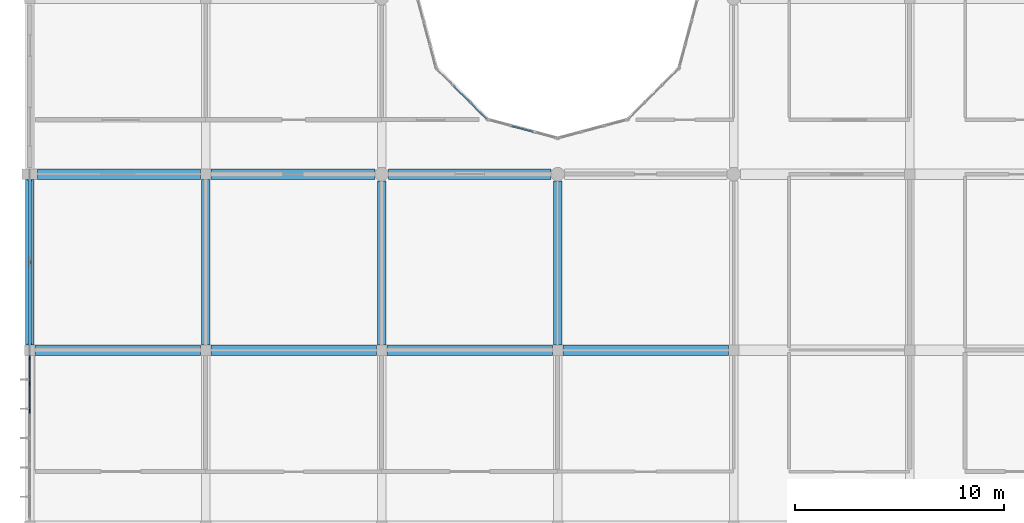
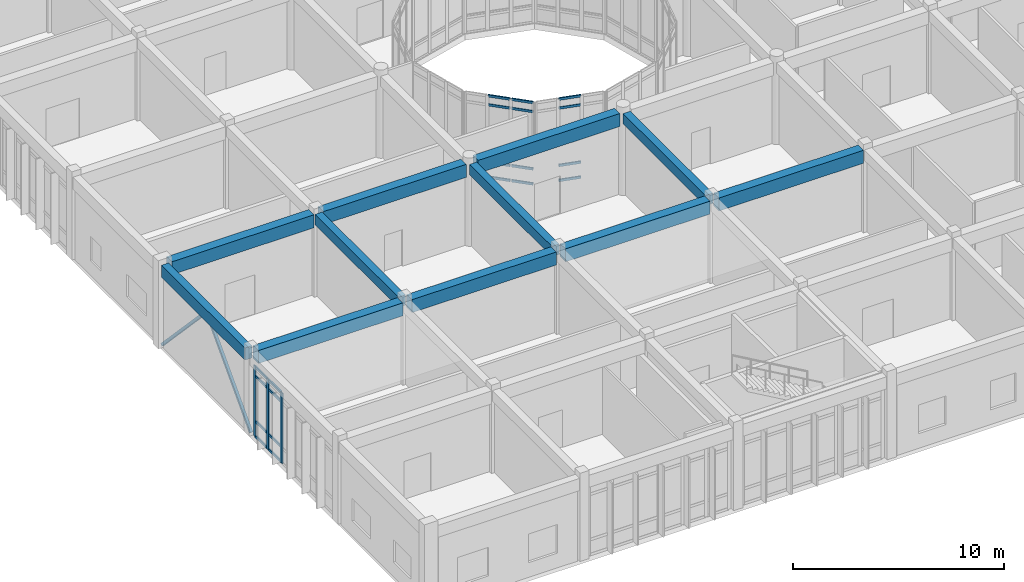
# One storey, part 29 of 134: 25 members, 11 beams, 3 elements without a shape of their own.
"""IFC4 building model written with IfcOpenShell, lengths in metres."""

from ifc_helpers import new_model, si_unit, direction, frame, origin, origin_2d, place, context, subcontext, project, spatial, rectangle, hollow_rectangle, extrude, material, layer, layer_set, material_profile, profile_set, type_object, element, aggregate, save


model = new_model("IFC4")

# Units and contexts
model_context = context("Model", 3, precision=1e-05, world=origin(), true_north=direction((0.0, 1.0)))
body_context = subcontext(model_context, "Body", "Model", "MODEL_VIEW")
ifc_project = project(units=[si_unit("LENGTHUNIT", "METRE"), si_unit("AREAUNIT", "SQUARE_METRE"), si_unit("VOLUMEUNIT", "CUBIC_METRE"), si_unit("PLANEANGLEUNIT", "RADIAN"), si_unit("MASSUNIT", "GRAM", prefix="KILO")], contexts=[model_context])

# Site, building, storey
site_placement = place(None, origin())
site = spatial("IfcSite", under=ifc_project, at=site_placement, CompositionType="ELEMENT")
building_placement = place(site_placement, origin())
building = spatial("IfcBuilding", under=site, at=building_placement, Name="Bramfleet General Hospital", CompositionType="ELEMENT")
storey_placement = place(building_placement, frame((0.0, 0.0, 9.300048828125)))
storey = spatial("IfcBuildingStorey", under=building, at=storey_placement, Name="L02", CompositionType="ELEMENT", Elevation=9.300048828125)

# Beams
ifc_material_1 = material(Name="Concrete C35/45", Category="concrete")
ifc_material_profile_1 = material_profile(ifc_material_1, rectangle(XDim=0.39990234375, YDim=0.60009765625, at=origin_2d()), Name="RC BM 600x400")
ifc_profile_set_1 = profile_set([ifc_material_profile_1], Name="Concrete C35/45")
beam_type_1 = type_object("IfcBeamType", Name="BM-RC600", PredefinedType="BEAM", material=ifc_profile_set_1)
beam_1_placement = place(storey_placement, frame((8.39990234375, 67.449951171875, 4.47998046875), z_axis=(0.0, 1.0, 0.0), x_axis=(-1.0, 0.0, 0.0)))
element("IfcBeam", 1, at=beam_1_placement, inside=storey, type_object=beam_type_1, Name="L02 Grid Beam Y 01-08", PredefinedType="BEAM", context=body_context, shape_type="SweptSolid", body=[
    extrude(rectangle(XDim=0.39990234375, YDim=0.60009765625, at=origin_2d()), origin(), (0.0, 0.0, 1.0), 7.900146484375),
])
for number, where, z_axis, x_axis, name in (
    (2, (16.800048828125, 67.449951171875, 4.47998046875), (0.0, 1.0, 0.0), (-1.0, 0.0, 0.0), "L02 Grid Beam Y 02-08"),
    (3, (25.199951171875, 67.449951171875, 4.47998046875), (0.0, 1.0, 0.0), (-1.0, 0.0, 0.0), "L02 Grid Beam Y 03-08"),
):
    element("IfcBeam", number, at=place(storey_placement, frame(where, z_axis=z_axis, x_axis=x_axis)), inside=storey, type_object=beam_type_1, Name=name, PredefinedType="BEAM", context=body_context, shape_type="SweptSolid", body=[
        extrude(rectangle(XDim=0.39990234375, YDim=0.60009765625, at=origin_2d()), origin(), (0.0, 0.0, 1.0), 7.824951171875),
    ])
ifc_material_profile_2 = material_profile(ifc_material_1, rectangle(XDim=0.5, YDim=0.75, at=origin_2d()), Name="RC BM 750x500")
ifc_profile_set_2 = profile_set([ifc_material_profile_2], Name="Concrete C35/45")
beam_type_2 = type_object("IfcBeamType", Name="BM-RC750", PredefinedType="BEAM", material=ifc_profile_set_2)
beam_2_placement = place(storey_placement, frame((0.25, 67.199951171875, 4.405029296875), z_axis=(1.0, 0.0, 0.0), x_axis=(0.0, 1.0, 0.0)))
element("IfcBeam", 4, at=beam_2_placement, inside=storey, type_object=beam_type_2, Name="L02 Grid Beam X 00-08", PredefinedType="BEAM", context=body_context, shape_type="SweptSolid", body=[
    extrude(rectangle(XDim=0.5, YDim=0.75, at=origin_2d()), origin(), (0.0, 0.0, 1.0), 7.89990234375),
])
beam_3_placement = place(storey_placement, frame((0.375, 75.60009765625, 4.405029296875), z_axis=(1.0, 0.0, 0.0), x_axis=(0.0, 1.0, 0.0)))
element("IfcBeam", 5, at=beam_3_placement, inside=storey, type_object=beam_type_2, Name="L02 Grid Beam X 00-09", PredefinedType="BEAM", context=body_context, shape_type="SweptSolid", body=[
    extrude(rectangle(XDim=0.5, YDim=0.75, at=origin_2d()), origin(), (0.0, 0.0, 1.0), 7.77490234375),
])
beam_4_placement = place(storey_placement, frame((8.64990234375, 67.199951171875, 4.405029296875), z_axis=(1.0, 0.0, 0.0), x_axis=(0.0, 1.0, 0.0)))
element("IfcBeam", 6, at=beam_4_placement, inside=storey, type_object=beam_type_2, Name="L02 Grid Beam X 01-08", PredefinedType="BEAM", context=body_context, shape_type="SweptSolid", body=[
    extrude(rectangle(XDim=0.5, YDim=0.75, at=origin_2d()), origin(), (0.0, 0.0, 1.0), 7.900146484375),
])
beam_5_placement = place(storey_placement, frame((8.64990234375, 75.60009765625, 4.405029296875), z_axis=(1.0, 0.0, 0.0), x_axis=(0.0, 1.0, 0.0)))
element("IfcBeam", 7, at=beam_5_placement, inside=storey, type_object=beam_type_2, Name="L02 Grid Beam X 01-09", PredefinedType="BEAM", context=body_context, shape_type="SweptSolid", body=[
    extrude(rectangle(XDim=0.5, YDim=0.75, at=origin_2d()), origin(), (0.0, 0.0, 1.0), 7.8251953125),
])
beam_6_placement = place(storey_placement, frame((17.050048828125, 67.199951171875, 4.405029296875), z_axis=(1.0, 0.0, 0.0), x_axis=(0.0, 1.0, 0.0)))
element("IfcBeam", 8, at=beam_6_placement, inside=storey, type_object=beam_type_2, Name="L02 Grid Beam X 02-08", PredefinedType="BEAM", context=body_context, shape_type="SweptSolid", body=[
    extrude(rectangle(XDim=0.5, YDim=0.75, at=origin_2d()), origin(), (0.0, 0.0, 1.0), 7.89990234375),
])
beam_7_placement = place(storey_placement, frame((17.125, 75.60009765625, 4.405029296875), z_axis=(1.0, 0.0, 0.0), x_axis=(0.0, 1.0, 0.0)))
element("IfcBeam", 9, at=beam_7_placement, inside=storey, type_object=beam_type_2, Name="L02 Grid Beam X 02-09", PredefinedType="BEAM", context=body_context, shape_type="SweptSolid", body=[
    extrude(rectangle(XDim=0.5, YDim=0.75, at=origin_2d()), origin(), (0.0, 0.0, 1.0), 7.75),
])
beam_8_placement = place(storey_placement, frame((25.449951171875, 67.199951171875, 4.405029296875), z_axis=(1.0, 0.0, 0.0), x_axis=(0.0, 1.0, 0.0)))
element("IfcBeam", 10, at=beam_8_placement, inside=storey, type_object=beam_type_2, Name="L02 Grid Beam X 03-08", PredefinedType="BEAM", context=body_context, shape_type="SweptSolid", body=[
    extrude(rectangle(XDim=0.5, YDim=0.75, at=origin_2d()), origin(), (0.0, 0.0, 1.0), 7.900146484375),
])
ifc_material_profile_3 = material_profile(ifc_material_1, rectangle(XDim=0.39990234375, YDim=0.699951171875, at=origin_2d()), Name="RC SP 700x400")
ifc_profile_set_3 = profile_set([ifc_material_profile_3], Name="Concrete C35/45")
beam_type_3 = type_object("IfcBeamType", Name="BM-SP700", PredefinedType="SPANDREL", material=ifc_profile_set_3)
beam_9_placement = place(storey_placement, frame((0.0, 67.449951171875, 4.429931640625), z_axis=(0.0, 1.0, 0.0), x_axis=(-1.0, 0.0, 0.0)))
element("IfcBeam", 11, at=beam_9_placement, inside=storey, type_object=beam_type_3, Name="L02 Grid Beam Y 00-08", PredefinedType="SPANDREL", context=body_context, shape_type="SweptSolid", body=[
    extrude(rectangle(XDim=0.39990234375, YDim=0.699951171875, at=origin_2d()), origin(), (0.0, 0.0, 1.0), 7.900146484375),
])

# Curtain wall, members
ifc_material_2 = material(Name="Anodised aluminium and low-E triple glazing", Category="aluminium")
ifc_layer_1 = layer(ifc_material_2, 0.179931640625, Name="CWT-CW-04")
ifc_layer_set_1 = layer_set([ifc_layer_1], Name="Anodised aluminium and low-E triple glazing")
curtain_wall_type_1 = type_object("IfcCurtainWallType", Name="CWT-CW-04", PredefinedType="USERDEFINED", material=ifc_layer_set_1)
curtain_wall_1_placement = place(storey_placement, origin())
curtain_wall_1 = element("IfcCurtainWall", 12, at=curtain_wall_1_placement, inside=storey, type_object=curtain_wall_type_1, Name="L02 Curtain Wall 94", ObjectType="Unitised curtain wall", PredefinedType="USERDEFINED")
ifc_material_3 = material(Name="Structural timber GL28h", Category="wood")
ifc_material_profile_4 = material_profile(ifc_material_3, rectangle(XDim=0.070068359375, YDim=0.18994140625, at=origin_2d()), Name="LARCH 190x70")
ifc_profile_set_4 = profile_set([ifc_material_profile_4], Name="Structural timber GL28h")
member_type_1 = type_object("IfcMemberType", Name="CWM-LARCH450", PredefinedType="MULLION", material=ifc_profile_set_4)
member_1_placement = place(storey_placement, frame((0.0, 64.291748046875, 0.0), z_axis=(0.0, 0.0, 1.0), x_axis=(-1.0, 0.0, 0.0)))
member_1 = element("IfcMember", 13, at=member_1_placement, type_object=member_type_1, Name="CW-04 mullion 5", PredefinedType="MULLION", context=body_context, shape_type="SweptSolid", body=[
    extrude(rectangle(XDim=0.070068359375, YDim=0.18994140625, at=origin_2d()), origin(), (0.0, 0.0, 1.0), 4.070068359375),
])
member_2_placement = place(storey_placement, frame((0.0, 65.583251953125, 0.0), z_axis=(0.0, 0.0, 1.0), x_axis=(-1.0, 0.0, 0.0)))
member_2 = element("IfcMember", 14, at=member_2_placement, type_object=member_type_1, Name="CW-04 mullion 6", PredefinedType="MULLION", context=body_context, shape_type="SweptSolid", body=[
    extrude(rectangle(XDim=0.070068359375, YDim=0.18994140625, at=origin_2d()), origin(), (0.0, 0.0, 1.0), 4.070068359375),
])
member_3_placement = place(storey_placement, frame((0.0, 66.840087890625, 0.0), z_axis=(0.0, 0.0, 1.0), x_axis=(-1.0, 0.0, 0.0)))
member_3 = element("IfcMember", 15, at=member_3_placement, type_object=member_type_1, Name="CW-04 mullion 7", PredefinedType="MULLION", context=body_context, shape_type="SweptSolid", body=[
    extrude(rectangle(XDim=0.070068359375, YDim=0.18994140625, at=origin_2d()), origin(), (0.0, 0.0, 1.0), 4.070068359375),
])

ifc_layer_2 = layer(ifc_material_2, 0.179931640625, Name="CWT-CW-14")
ifc_layer_set_2 = layer_set([ifc_layer_2], Name="Anodised aluminium and low-E triple glazing")
curtain_wall_type_2 = type_object("IfcCurtainWallType", Name="CWT-CW-14", PredefinedType="USERDEFINED", material=ifc_layer_set_2)
curtain_wall_2_placement = place(storey_placement, origin())
curtain_wall_2 = element("IfcCurtainWall", 16, at=curtain_wall_2_placement, inside=storey, type_object=curtain_wall_type_2, Name="L02 West Clinical Light Court Curtain Wall 2.1", ObjectType="Stick curtain wall", PredefinedType="USERDEFINED")
ifc_material_4 = material(Name="Anodised aluminium EN AW-6060", Category="aluminium")
ifc_material_profile_5 = material_profile(ifc_material_4, hollow_rectangle(XDim=0.06494140625, YDim=0.139892578125, WallThickness=0.00390625, at=origin_2d()), Name="ALU 140x65x4.0")
ifc_profile_set_5 = profile_set([ifc_material_profile_5], Name="Anodised aluminium EN AW-6060")
member_type_2 = type_object("IfcMemberType", Name="CWT-ALU140", PredefinedType="USERDEFINED", material=ifc_profile_set_5)
member_4_placement = place(storey_placement, frame((20.239990234375, 79.807861328125, 0.032470703125), z_axis=(0.707106781187, -0.707106781187, 0.0), x_axis=(0.707106781187, 0.707106781187, 0.0)))
member_4 = element("IfcMember", 17, at=member_4_placement, type_object=member_type_2, Name="CW-14 transom 2.1", ObjectType="TRANSOM", PredefinedType="USERDEFINED", context=body_context, shape_type="SweptSolid", body=[
    extrude(hollow_rectangle(XDim=0.06494140625, YDim=0.139892578125, WallThickness=0.00390625, at=origin_2d()), origin(), (0.0, 0.0, 1.0), 1.0859375),
])
member_5_placement = place(storey_placement, frame((20.239990234375, 79.807861328125, 0.89990234375), z_axis=(0.707106781187, -0.707106781187, 0.0), x_axis=(0.707106781187, 0.707106781187, 0.0)))
member_5 = element("IfcMember", 18, at=member_5_placement, type_object=member_type_2, Name="CW-14 transom 2.2", ObjectType="TRANSOM", PredefinedType="USERDEFINED", context=body_context, shape_type="SweptSolid", body=[
    extrude(hollow_rectangle(XDim=0.06494140625, YDim=0.139892578125, WallThickness=0.00390625, at=origin_2d()), origin(), (0.0, 0.0, 1.0), 1.0859375),
])
member_6_placement = place(storey_placement, frame((20.239990234375, 79.807861328125, 4.219970703125), z_axis=(0.707106781187, -0.707106781187, 0.0), x_axis=(0.707106781187, 0.707106781187, 0.0)))
member_6 = element("IfcMember", 19, at=member_6_placement, type_object=member_type_2, Name="CW-14 transom 2.3", ObjectType="TRANSOM", PredefinedType="USERDEFINED", context=body_context, shape_type="SweptSolid", body=[
    extrude(hollow_rectangle(XDim=0.06494140625, YDim=0.139892578125, WallThickness=0.00390625, at=origin_2d()), origin(), (0.0, 0.0, 1.0), 1.0859375),
])
member_7_placement = place(storey_placement, frame((20.239990234375, 79.807861328125, 4.737548828125), z_axis=(0.707106781187, -0.707106781187, 0.0), x_axis=(0.707106781187, 0.707106781187, 0.0)))
member_7 = element("IfcMember", 20, at=member_7_placement, type_object=member_type_2, Name="CW-14 transom 2.4", ObjectType="TRANSOM", PredefinedType="USERDEFINED", context=body_context, shape_type="SweptSolid", body=[
    extrude(hollow_rectangle(XDim=0.06494140625, YDim=0.139892578125, WallThickness=0.00390625, at=origin_2d()), origin(), (0.0, 0.0, 1.0), 1.0859375),
])
member_8_placement = place(storey_placement, frame((21.057373046875, 78.990478515625, 0.032470703125), z_axis=(0.707222938356, -0.706990604933, 0.0), x_axis=(0.706990604933, 0.707222938356, 0.0)))
member_8 = element("IfcMember", 21, at=member_8_placement, type_object=member_type_2, Name="CW-14 transom 3.1", ObjectType="TRANSOM", PredefinedType="USERDEFINED", context=body_context, shape_type="SweptSolid", body=[
    extrude(hollow_rectangle(XDim=0.06494140625, YDim=0.139892578125, WallThickness=0.00390625, at=origin_2d()), origin(), (0.0, 0.0, 1.0), 1.05078125),
])
member_9_placement = place(storey_placement, frame((21.057373046875, 78.990478515625, 0.89990234375), z_axis=(0.707222938356, -0.706990604933, 0.0), x_axis=(0.706990604933, 0.707222938356, 0.0)))
member_9 = element("IfcMember", 22, at=member_9_placement, type_object=member_type_2, Name="CW-14 transom 3.2", ObjectType="TRANSOM", PredefinedType="USERDEFINED", context=body_context, shape_type="SweptSolid", body=[
    extrude(hollow_rectangle(XDim=0.06494140625, YDim=0.139892578125, WallThickness=0.00390625, at=origin_2d()), origin(), (0.0, 0.0, 1.0), 1.05078125),
])
member_10_placement = place(storey_placement, frame((21.057373046875, 78.990478515625, 4.219970703125), z_axis=(0.707222938356, -0.706990604933, 0.0), x_axis=(0.706990604933, 0.707222938356, 0.0)))
member_10 = element("IfcMember", 23, at=member_10_placement, type_object=member_type_2, Name="CW-14 transom 3.3", ObjectType="TRANSOM", PredefinedType="USERDEFINED", context=body_context, shape_type="SweptSolid", body=[
    extrude(hollow_rectangle(XDim=0.06494140625, YDim=0.139892578125, WallThickness=0.00390625, at=origin_2d()), origin(), (0.0, 0.0, 1.0), 1.05078125),
])
member_11_placement = place(storey_placement, frame((21.057373046875, 78.990478515625, 4.737548828125), z_axis=(0.707222938356, -0.706990604933, 0.0), x_axis=(0.706990604933, 0.707222938356, 0.0)))
member_11 = element("IfcMember", 24, at=member_11_placement, type_object=member_type_2, Name="CW-14 transom 3.4", ObjectType="TRANSOM", PredefinedType="USERDEFINED", context=body_context, shape_type="SweptSolid", body=[
    extrude(hollow_rectangle(XDim=0.06494140625, YDim=0.139892578125, WallThickness=0.00390625, at=origin_2d()), origin(), (0.0, 0.0, 1.0), 1.05078125),
])
aggregate(curtain_wall_2, [member_4, member_5, member_6, member_7, member_8, member_9, member_10, member_11])

ifc_layer_3 = layer(ifc_material_2, 0.179931640625, Name="CWT-CW-15")
ifc_layer_set_3 = layer_set([ifc_layer_3], Name="Anodised aluminium and low-E triple glazing")
curtain_wall_type_3 = type_object("IfcCurtainWallType", Name="CWT-CW-15", PredefinedType="USERDEFINED", material=ifc_layer_set_3)
curtain_wall_3_placement = place(storey_placement, origin())
curtain_wall_3 = element("IfcCurtainWall", 25, at=curtain_wall_3_placement, inside=storey, type_object=curtain_wall_type_3, Name="L02 West Clinical Light Court Curtain Wall 3.1", ObjectType="Stick curtain wall", PredefinedType="USERDEFINED")
member_12_placement = place(storey_placement, frame((23.00048828125, 77.8896484375, 0.032470703125), z_axis=(0.965890845787, -0.258949558843, 0.0), x_axis=(0.258949558843, 0.965890845787, 0.0)))
member_12 = element("IfcMember", 26, at=member_12_placement, type_object=member_type_2, Name="CW-15 transom 2.1", ObjectType="TRANSOM", PredefinedType="USERDEFINED", context=body_context, shape_type="SweptSolid", body=[
    extrude(hollow_rectangle(XDim=0.06494140625, YDim=0.139892578125, WallThickness=0.00390625, at=origin_2d()), origin(), (0.0, 0.0, 1.0), 1.086181640625),
])
member_13_placement = place(storey_placement, frame((23.00048828125, 77.8896484375, 0.89990234375), z_axis=(0.965890845787, -0.258949558843, 0.0), x_axis=(0.258949558843, 0.965890845787, 0.0)))
member_13 = element("IfcMember", 27, at=member_13_placement, type_object=member_type_2, Name="CW-15 transom 2.2", ObjectType="TRANSOM", PredefinedType="USERDEFINED", context=body_context, shape_type="SweptSolid", body=[
    extrude(hollow_rectangle(XDim=0.06494140625, YDim=0.139892578125, WallThickness=0.00390625, at=origin_2d()), origin(), (0.0, 0.0, 1.0), 1.086181640625),
])
member_14_placement = place(storey_placement, frame((23.00048828125, 77.8896484375, 4.219970703125), z_axis=(0.965890845787, -0.258949558843, 0.0), x_axis=(0.258949558843, 0.965890845787, 0.0)))
member_14 = element("IfcMember", 28, at=member_14_placement, type_object=member_type_2, Name="CW-15 transom 2.3", ObjectType="TRANSOM", PredefinedType="USERDEFINED", context=body_context, shape_type="SweptSolid", body=[
    extrude(hollow_rectangle(XDim=0.06494140625, YDim=0.139892578125, WallThickness=0.00390625, at=origin_2d()), origin(), (0.0, 0.0, 1.0), 1.086181640625),
])
member_15_placement = place(storey_placement, frame((23.00048828125, 77.8896484375, 4.737548828125), z_axis=(0.965890845787, -0.258949558843, 0.0), x_axis=(0.258949558843, 0.965890845787, 0.0)))
member_15 = element("IfcMember", 29, at=member_15_placement, type_object=member_type_2, Name="CW-15 transom 2.4", ObjectType="TRANSOM", PredefinedType="USERDEFINED", context=body_context, shape_type="SweptSolid", body=[
    extrude(hollow_rectangle(XDim=0.06494140625, YDim=0.139892578125, WallThickness=0.00390625, at=origin_2d()), origin(), (0.0, 0.0, 1.0), 1.086181640625),
])
aggregate(curtain_wall_3, [member_12, member_13, member_14, member_15])

# Member
ifc_material_profile_6 = material_profile(ifc_material_3, rectangle(XDim=0.06494140625, YDim=0.14990234375, at=origin_2d()), Name="LARCH 150x65")
ifc_profile_set_6 = profile_set([ifc_material_profile_6], Name="Structural timber GL28h")
member_type_3 = type_object("IfcMemberType", Name="CWT-LARCH220", PredefinedType="USERDEFINED", material=ifc_profile_set_6)
member_16_placement = place(storey_placement, frame((0.0, 64.32666015625, 0.032470703125), z_axis=(0.0, 1.0, 0.0), x_axis=(-1.0, 0.0, 0.0)))
member_16 = element("IfcMember", 30, at=member_16_placement, type_object=member_type_3, Name="CW-04 transom 5.1", ObjectType="TRANSOM", PredefinedType="USERDEFINED", context=body_context, shape_type="SweptSolid", body=[
    extrude(rectangle(XDim=0.06494140625, YDim=0.14990234375, at=origin_2d()), origin(), (0.0, 0.0, 1.0), 1.2216796875),
])

member_17_placement = place(storey_placement, frame((0.0, 64.32666015625, 0.89990234375), z_axis=(0.0, 1.0, 0.0), x_axis=(-1.0, 0.0, 0.0)))
member_17 = element("IfcMember", 31, at=member_17_placement, type_object=member_type_3, Name="CW-04 transom 5.2", ObjectType="TRANSOM", PredefinedType="USERDEFINED", context=body_context, shape_type="SweptSolid", body=[
    extrude(rectangle(XDim=0.06494140625, YDim=0.14990234375, at=origin_2d()), origin(), (0.0, 0.0, 1.0), 1.2216796875),
])

member_18_placement = place(storey_placement, frame((0.0, 64.32666015625, 3.52001953125), z_axis=(0.0, 1.0, 0.0), x_axis=(-1.0, 0.0, 0.0)))
member_18 = element("IfcMember", 32, at=member_18_placement, type_object=member_type_3, Name="CW-04 transom 5.3", ObjectType="TRANSOM", PredefinedType="USERDEFINED", context=body_context, shape_type="SweptSolid", body=[
    extrude(rectangle(XDim=0.06494140625, YDim=0.14990234375, at=origin_2d()), origin(), (0.0, 0.0, 1.0), 1.2216796875),
])

member_19_placement = place(storey_placement, frame((0.0, 64.32666015625, 4.037353515625), z_axis=(0.0, 1.0, 0.0), x_axis=(-1.0, 0.0, 0.0)))
member_19 = element("IfcMember", 33, at=member_19_placement, type_object=member_type_3, Name="CW-04 transom 5.4", ObjectType="TRANSOM", PredefinedType="USERDEFINED", context=body_context, shape_type="SweptSolid", body=[
    extrude(rectangle(XDim=0.06494140625, YDim=0.14990234375, at=origin_2d()), origin(), (0.0, 0.0, 1.0), 1.2216796875),
])

member_20_placement = place(storey_placement, frame((0.0, 65.618408203125, 0.032470703125), z_axis=(0.0, 1.0, 0.0), x_axis=(-1.0, 0.0, 0.0)))
member_20 = element("IfcMember", 34, at=member_20_placement, type_object=member_type_3, Name="CW-04 transom 6.1", ObjectType="TRANSOM", PredefinedType="USERDEFINED", context=body_context, shape_type="SweptSolid", body=[
    extrude(rectangle(XDim=0.06494140625, YDim=0.14990234375, at=origin_2d()), origin(), (0.0, 0.0, 1.0), 1.1865234375),
])

member_21_placement = place(storey_placement, frame((0.0, 65.618408203125, 0.89990234375), z_axis=(0.0, 1.0, 0.0), x_axis=(-1.0, 0.0, 0.0)))
member_21 = element("IfcMember", 35, at=member_21_placement, type_object=member_type_3, Name="CW-04 transom 6.2", ObjectType="TRANSOM", PredefinedType="USERDEFINED", context=body_context, shape_type="SweptSolid", body=[
    extrude(rectangle(XDim=0.06494140625, YDim=0.14990234375, at=origin_2d()), origin(), (0.0, 0.0, 1.0), 1.1865234375),
])

member_22_placement = place(storey_placement, frame((0.0, 65.618408203125, 3.52001953125), z_axis=(0.0, 1.0, 0.0), x_axis=(-1.0, 0.0, 0.0)))
member_22 = element("IfcMember", 36, at=member_22_placement, type_object=member_type_3, Name="CW-04 transom 6.3", ObjectType="TRANSOM", PredefinedType="USERDEFINED", context=body_context, shape_type="SweptSolid", body=[
    extrude(rectangle(XDim=0.06494140625, YDim=0.14990234375, at=origin_2d()), origin(), (0.0, 0.0, 1.0), 1.1865234375),
])

member_23_placement = place(storey_placement, frame((0.0, 65.618408203125, 4.037353515625), z_axis=(0.0, 1.0, 0.0), x_axis=(-1.0, 0.0, 0.0)))
member_23 = element("IfcMember", 37, at=member_23_placement, type_object=member_type_3, Name="CW-04 transom 6.4", ObjectType="TRANSOM", PredefinedType="USERDEFINED", context=body_context, shape_type="SweptSolid", body=[
    extrude(rectangle(XDim=0.06494140625, YDim=0.14990234375, at=origin_2d()), origin(), (0.0, 0.0, 1.0), 1.1865234375),
])

aggregate(curtain_wall_1, [member_1, member_2, member_3, member_16, member_17, member_18, member_19, member_20, member_21, member_22, member_23])

# Members
ifc_material_5 = material(Name="Steel S355", Category="steel")
ifc_material_profile_7 = material_profile(ifc_material_5, hollow_rectangle(XDim=0.14990234375, YDim=0.14990234375, WallThickness=0.010009765625, at=origin_2d()), Name="SHS 150x150x10.0")
ifc_profile_set_7 = profile_set([ifc_material_profile_7], Name="Steel S355")
member_type_4 = type_object("IfcMemberType", Name="MEM-BR-SHS150", PredefinedType="BRACE", material=ifc_profile_set_7)
member_24_placement = place(storey_placement, frame((0.0, 67.199951171875, -0.02001953125), z_axis=(0.0, 0.686383320151, 0.727239945148), x_axis=(-1.0, 0.0, 0.0)))
element("IfcMember", 38, at=member_24_placement, inside=storey, type_object=member_type_4, Name="L02 Chevron Brace 9A", PredefinedType="BRACE", context=body_context, shape_type="SweptSolid", body=[
    extrude(hollow_rectangle(XDim=0.14990234375, YDim=0.14990234375, WallThickness=0.010009765625, at=origin_2d()), origin(), (0.0, 0.0, 1.0), 6.118896484375),
])
member_25_placement = place(storey_placement, frame((0.0, 75.60009765625, -0.02001953125), z_axis=(0.0, -0.68640442101, 0.727220029165), x_axis=(1.0, 0.0, 0.0)))
element("IfcMember", 39, at=member_25_placement, inside=storey, type_object=member_type_4, Name="L02 Chevron Brace 9B", PredefinedType="BRACE", context=body_context, shape_type="SweptSolid", body=[
    extrude(hollow_rectangle(XDim=0.14990234375, YDim=0.14990234375, WallThickness=0.010009765625, at=origin_2d()), origin(), (0.0, 0.0, 1.0), 6.119140625),
])

save(model, "model.ifc")
